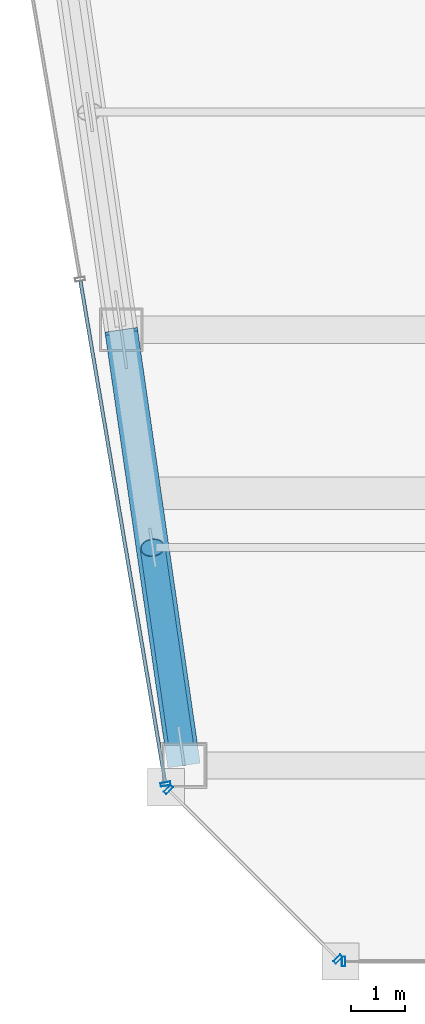
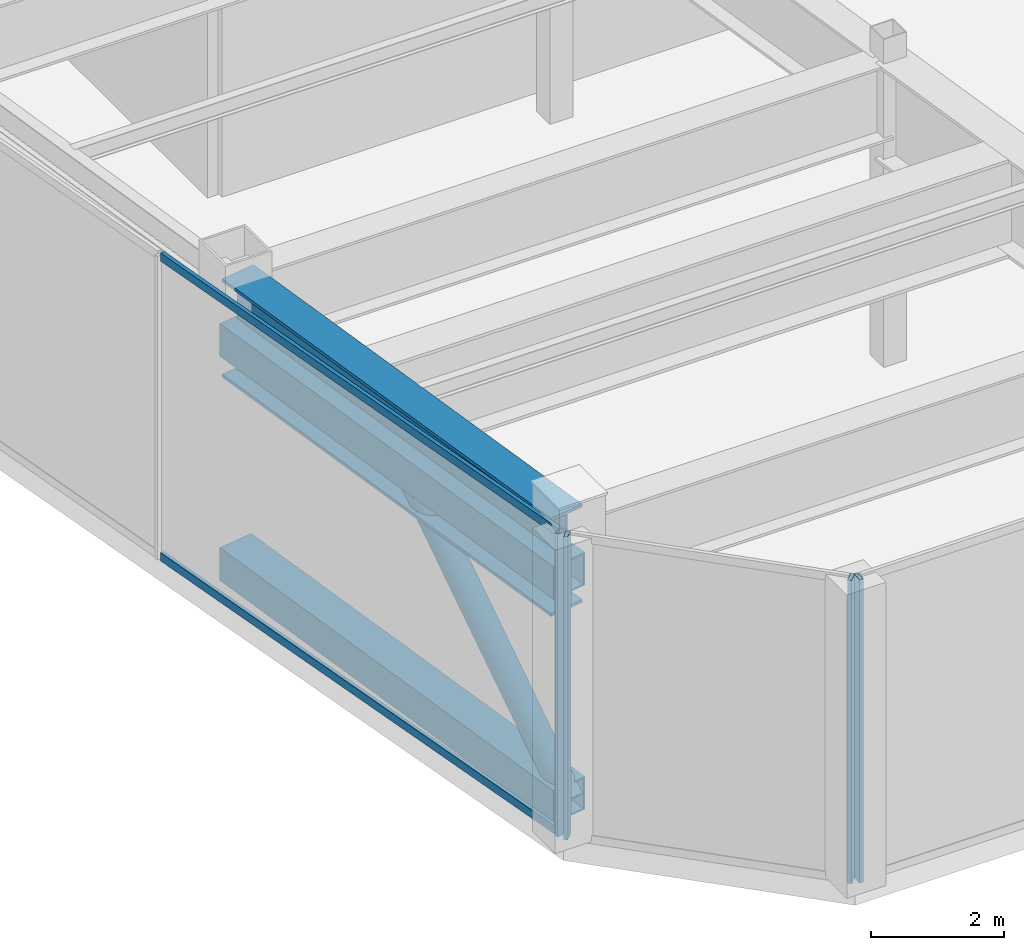
# One storey, part 3 of 34: 9 members, 1 beam, 3 elements without a shape of their own.
"""IFC4 building model written with IfcOpenShell, lengths in metres."""

from ifc_helpers import new_model, si_unit, direction, frame, origin, origin_2d, place, context, subcontext, project, spatial, hollow_rectangle, hollow_circle, i_section, extrude, material, material_profile, profile_set, type_object, element, aggregate, save


model = new_model("IFC4")

# Units and contexts
model_context = context("Model", 3, precision=1e-05, world=origin(), true_north=direction((0.0, 1.0)))
body_context = subcontext(model_context, "Body", "Model", "MODEL_VIEW")
ifc_project = project(units=[si_unit("LENGTHUNIT", "METRE"), si_unit("AREAUNIT", "SQUARE_METRE"), si_unit("VOLUMEUNIT", "CUBIC_METRE"), si_unit("PLANEANGLEUNIT", "RADIAN"), si_unit("MASSUNIT", "GRAM", prefix="KILO")], contexts=[model_context])

# Site, building, storey
site_placement = place(None, origin())
site = spatial("IfcSite", under=ifc_project, at=site_placement, CompositionType="ELEMENT")
building_placement = place(site_placement, origin())
building = spatial("IfcBuilding", under=site, at=building_placement, Name="Saevonmaru Cultural Tower", CompositionType="ELEMENT")
storey_placement = place(building_placement, frame((0.0, 0.0, 224.60009765625)))
storey = spatial("IfcBuildingStorey", under=building, at=storey_placement, Name="L52", CompositionType="ELEMENT", Elevation=224.60009765625)

# Beam
ifc_material_1 = material(Name="Steel HSA600 (600 MPa)", Category="steel")
ifc_material_profile_1 = material_profile(ifc_material_1, i_section(OverallWidth=0.60009765625, OverallDepth=1.800048828125, WebThickness=0.028076171875, FlangeThickness=0.054931640625, at=origin_2d()), Name="PG-1800x600x28x55")
ifc_profile_set_1 = profile_set([ifc_material_profile_1], Name="Steel HSA600 (600 MPa)")
beam_type = type_object("IfcBeamType", Name="BM-TG-PG1800-EXT", PredefinedType="SPANDREL", material=ifc_profile_set_1)
beam_placement = place(storey_placement, frame((10.619384765625, 16.059326171875, 4.64990234375), z_axis=(-0.142992129437, 0.989723825579, 0.0), x_axis=(-0.989723825579, -0.142992129437, 0.0)))
element("IfcBeam", 1, at=beam_placement, inside=storey, type_object=beam_type, Name="L52 West Splayed Spandrel 1", PredefinedType="SPANDREL", context=body_context, shape_type="SweptSolid", body=[
    extrude(i_section(OverallWidth=0.60009765625, OverallDepth=1.800048828125, WebThickness=0.028076171875, FlangeThickness=0.054931640625, at=origin_2d()), origin(), (0.0, 0.0, 1.0), 7.963134765625),
])

# Members
ifc_material_2 = material(Name="Steel SM420", Category="steel")
ifc_material_profile_2 = material_profile(ifc_material_2, hollow_circle(Radius=0.228515625, WallThickness=0.02001953125, at=origin_2d()), Name="CHS-457.2x20")
ifc_profile_set_2 = profile_set([ifc_material_profile_2], Name="Steel SM420")
member_type_1 = type_object("IfcMemberType", Name="MB-BBR-CHS457", PredefinedType="BRACE", material=ifc_profile_set_2)
member_1_placement = place(storey_placement, frame((10.6279296875, 16.0, 0.2998046875), z_axis=(-0.100376247374, 0.69478852428, 0.712175199998), x_axis=(-0.989724747682, -0.142985746934, 0.0)))
element("IfcMember", 2, at=member_1_placement, inside=storey, type_object=member_type_1, Name="L52 Belt Truss Diagonal BW1-1", PredefinedType="BRACE", context=body_context, shape_type="SweptSolid", body=[
    extrude(hollow_circle(Radius=0.228515625, WallThickness=0.02001953125, at=origin_2d()), origin(), (0.0, 0.0, 1.0), 5.757080078125),
])
ifc_material_profile_3 = material_profile(ifc_material_2, hollow_rectangle(XDim=0.60009765625, YDim=0.60009765625, WallThickness=0.028076171875, at=origin_2d()), Name="BOX-600x600x28")
ifc_profile_set_3 = profile_set([ifc_material_profile_3], Name="Steel SM420")
member_type_2 = type_object("IfcMemberType", Name="MB-BCH-BOX600", PredefinedType="CHORD", material=ifc_profile_set_3)
for number, where, z_axis, x_axis, name in (
    (3, (10.6279296875, 16.0, 0.2998046875), (-0.143015333226, 0.989720472892, 0.0), (-0.989720472892, -0.143015333226, 0.0), "L52 Belt Truss Bottom Chord BW1"),
    (4, (10.6279296875, 16.0, 4.39990234375), (-0.143015333226, 0.989720472892, 0.0), (-0.989720472892, -0.143015333226, 0.0), "L52 Belt Truss Top Chord BW1"),
):
    element("IfcMember", number, at=place(storey_placement, frame(where, z_axis=z_axis, x_axis=x_axis)), inside=storey, type_object=member_type_2, Name=name, PredefinedType="CHORD", context=body_context, shape_type="SweptSolid", body=[
        extrude(hollow_rectangle(XDim=0.60009765625, YDim=0.60009765625, WallThickness=0.028076171875, at=origin_2d()), origin(), (0.0, 0.0, 1.0), 8.0830078125),
    ])

# Curtain wall, members
ifc_material_3 = material(Name="Satin Bronze Anodised Aluminium", Category="aluminium")
curtain_wall_type = type_object("IfcCurtainWallType", Name="CW-TYP-B", PredefinedType="NOTDEFINED", material=ifc_material_3)
curtain_wall_1_placement = place(storey_placement, origin())
curtain_wall_1 = element("IfcCurtainWall", 5, at=curtain_wall_1_placement, inside=storey, type_object=curtain_wall_type, Name="L52 Wind-Floor Acoustic Louvre Screen E1", PredefinedType="NOTDEFINED")
ifc_material_profile_4 = material_profile(ifc_material_3, hollow_rectangle(XDim=0.06494140625, YDim=0.179931640625, WallThickness=0.00390625, at=origin_2d()), Name="ALU-MULL-180x65x4")
ifc_profile_set_4 = profile_set([ifc_material_profile_4], Name="Satin Bronze Anodised Aluminium")
member_type_3 = type_object("IfcMemberType", Name="ML-CW-180x65", PredefinedType="MULLION", material=ifc_profile_set_4)
member_2_placement = place(storey_placement, frame((10.340087890625, 15.5576171875, 0.0), z_axis=(0.0, 0.0, 1.0), x_axis=(0.707106781187, -0.707106781187, 0.0)))
member_2 = element("IfcMember", 6, at=member_2_placement, type_object=member_type_3, Name="CW-TW-L52-E1 mullion 1", PredefinedType="MULLION", context=body_context, shape_type="SweptSolid", body=[
    extrude(hollow_rectangle(XDim=0.06494140625, YDim=0.179931640625, WallThickness=0.00390625, at=origin_2d()), origin(), (0.0, 0.0, 1.0), 5.5498046875),
])
member_3_placement = place(storey_placement, frame((13.455322265625, 12.4423828125, 0.0), z_axis=(0.0, 0.0, 1.0), x_axis=(0.707106781187, -0.707106781187, 0.0)))
member_3 = element("IfcMember", 7, at=member_3_placement, type_object=member_type_3, Name="CW-TW-L52-E1 mullion 2", PredefinedType="MULLION", context=body_context, shape_type="SweptSolid", body=[
    extrude(hollow_rectangle(XDim=0.06494140625, YDim=0.179931640625, WallThickness=0.00390625, at=origin_2d()), origin(), (0.0, 0.0, 1.0), 5.5498046875),
])
aggregate(curtain_wall_1, [member_2, member_3])

# Curtain wall, member
curtain_wall_2_placement = place(storey_placement, origin())
curtain_wall_2 = element("IfcCurtainWall", 8, at=curtain_wall_2_placement, inside=storey, type_object=curtain_wall_type, Name="L52 Wind-Floor Acoustic Louvre Screen E2", PredefinedType="NOTDEFINED")
member_4_placement = place(storey_placement, frame((13.557861328125, 12.39990234375, 0.0), z_axis=(0.0, 0.0, 1.0), x_axis=(1.0, 0.0, 0.0)))
member_4 = element("IfcMember", 9, at=member_4_placement, type_object=member_type_3, Name="CW-TW-L52-E2 mullion 1", PredefinedType="MULLION", context=body_context, shape_type="SweptSolid", body=[
    extrude(hollow_rectangle(XDim=0.06494140625, YDim=0.179931640625, WallThickness=0.00390625, at=origin_2d()), origin(), (0.0, 0.0, 1.0), 5.5498046875),
])
aggregate(curtain_wall_2, [member_4])

# Curtain wall, members
curtain_wall_3_placement = place(storey_placement, origin())
curtain_wall_3 = element("IfcCurtainWall", 10, at=curtain_wall_3_placement, inside=storey, type_object=curtain_wall_type, Name="L52 Wind-Floor Acoustic Louvre Screen E12", PredefinedType="NOTDEFINED")
member_5_placement = place(storey_placement, frame((10.287841796875, 15.6591796875, 0.0), z_axis=(0.0, 0.0, 1.0), x_axis=(0.16692169721, -0.985970155228, 0.0)))
member_5 = element("IfcMember", 11, at=member_5_placement, type_object=member_type_3, Name="CW-TW-L52-E12 mullion 5", PredefinedType="MULLION", context=body_context, shape_type="SweptSolid", body=[
    extrude(hollow_rectangle(XDim=0.06494140625, YDim=0.179931640625, WallThickness=0.00390625, at=origin_2d()), origin(), (0.0, 0.0, 1.0), 5.5498046875),
])
ifc_material_profile_5 = material_profile(ifc_material_3, hollow_rectangle(XDim=0.06494140625, YDim=0.14990234375, WallThickness=0.00390625, at=origin_2d()), Name="ALU-TRAN-150x65x4")
ifc_profile_set_5 = profile_set([ifc_material_profile_5], Name="Satin Bronze Anodised Aluminium")
member_type_4 = type_object("IfcMemberType", Name="TR-CW-150x65", PredefinedType="USERDEFINED", material=ifc_profile_set_5)
member_6_placement = place(storey_placement, frame((8.723876953125, 24.8974609375, 0.032470703125), z_axis=(0.166921263871, -0.985970228591, 0.0), x_axis=(0.985970228591, 0.166921263871, 0.0)))
member_6 = element("IfcMember", 12, at=member_6_placement, type_object=member_type_4, Name="CW-TW-L52-E12 transom 4.1", ObjectType="TRANSOM", PredefinedType="USERDEFINED", context=body_context, shape_type="SweptSolid", body=[
    extrude(hollow_rectangle(XDim=0.06494140625, YDim=0.14990234375, WallThickness=0.00390625, at=origin_2d()), origin(), (0.0, 0.0, 1.0), 9.33740234375),
])
member_7_placement = place(storey_placement, frame((8.723876953125, 24.8974609375, 5.517333984375), z_axis=(0.166921263871, -0.985970228591, 0.0), x_axis=(0.985970228591, 0.166921263871, 0.0)))
member_7 = element("IfcMember", 13, at=member_7_placement, type_object=member_type_4, Name="CW-TW-L52-E12 transom 4.2", ObjectType="TRANSOM", PredefinedType="USERDEFINED", context=body_context, shape_type="SweptSolid", body=[
    extrude(hollow_rectangle(XDim=0.06494140625, YDim=0.14990234375, WallThickness=0.00390625, at=origin_2d()), origin(), (0.0, 0.0, 1.0), 9.33740234375),
])
aggregate(curtain_wall_3, [member_5, member_6, member_7])

save(model, "model.ifc")
